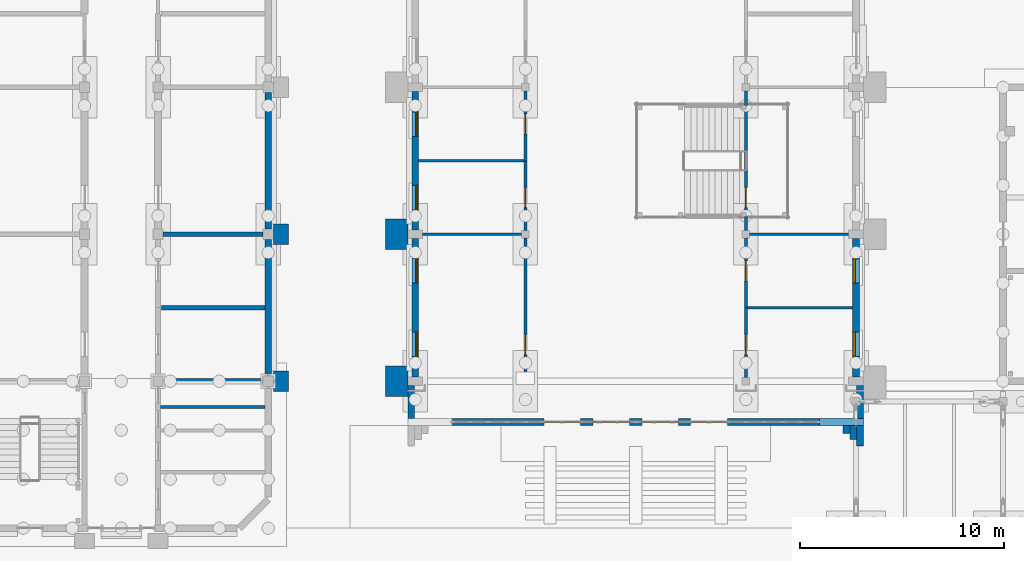
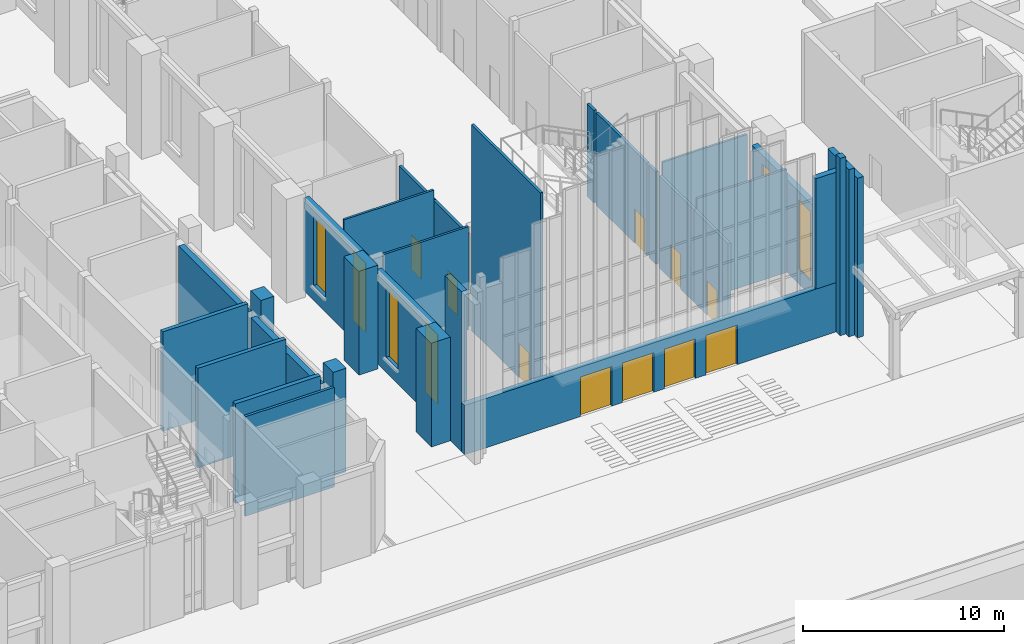
# One storey, part 34 of 84: 32 walls, 10 doors, 6 windows, 16 openings.
"""IFC4 building model written with IfcOpenShell, lengths in metres."""

import ifcopenshell
import ifcopenshell.guid

model = None  # the IFC model being written
_history = None  # IfcOwnerHistory: only IFC2X3 demands one
_inside = {}  # id of a spatial element -> (the spatial element, [elements in it])
_under = {}  # id of a project, library or spatial element -> (it, [spatial elements below it])
_declared = {}  # id of a project -> (the project, [libraries it declares])
_typed = {}  # id of a type object -> (the type object, [elements of that type])
_made_of = {}  # id of a material, layer set ... -> (it, [elements and type objects made of it])


def new_model(schema):
    """Start an empty IFC model of exactly this schema.

    Asked for "IFC4X3", IfcOpenShell would pick the latest addendum, in which some entities
    have other attributes; the version numbers below select the first issue.
    IFC2X3 requires an IfcOwnerHistory on every rooted entity: one is made here for all.
    """
    global model, _history
    if schema == "IFC4X3":
        model = ifcopenshell.file(schema_version=(4, 3, 0, 0))
    else:
        model = ifcopenshell.file(schema=schema)
    _inside.clear()
    _under.clear()
    _declared.clear()
    _typed.clear()
    _made_of.clear()
    _history = None
    if model.schema == "IFC2X3":
        org = make("IfcOrganization", Name="unknown")
        user = make(
            "IfcPersonAndOrganization",
            ThePerson=make("IfcPerson", FamilyName="unknown"),
            TheOrganization=org,
        )
        app = make(
            "IfcApplication",
            ApplicationDeveloper=org,
            Version="unknown",
            ApplicationFullName="unknown",
            ApplicationIdentifier="unknown",
        )
        _history = make(
            "IfcOwnerHistory",
            OwningUser=user,
            OwningApplication=app,
            ChangeAction="ADDED",
            CreationDate=0,
        )
    return model


def make(cls, **values):
    """One entity of the class cls with the attributes given. An attribute that is None is left unset."""
    return model.create_entity(
        cls, **{name: value for name, value in values.items() if value is not None}
    )


def rooted(cls, **values):
    """An entity with a GlobalId (a new one), such as an element, a storey or a relation."""
    return make(cls, GlobalId=ifcopenshell.guid.new(), OwnerHistory=_history, **values)


def si_unit(unit_type, name, prefix=None):
    """IfcSIUnit, for example si_unit("LENGTHUNIT", "METRE", prefix="MILLI")."""
    return make("IfcSIUnit", UnitType=unit_type, Prefix=prefix, Name=name)


def assignment(units):
    """IfcUnitAssignment: the units of a project."""
    return None if units is None else make("IfcUnitAssignment", Units=units)


def point(xyz):
    """IfcCartesianPoint."""
    return None if xyz is None else make("IfcCartesianPoint", Coordinates=xyz)


def direction(xyz):
    """IfcDirection."""
    return None if xyz is None else make("IfcDirection", DirectionRatios=xyz)


def frame(location, z_axis=None, x_axis=None):
    """IfcAxis2Placement3D, a coordinate frame: its origin and axes. An axis left out is left unset."""
    return make(
        "IfcAxis2Placement3D",
        Location=point(location),
        Axis=direction(z_axis),
        RefDirection=direction(x_axis),
    )


def frame_2d(location, x_axis=None):
    """IfcAxis2Placement2D, a coordinate frame in the plane: its origin and x axis."""
    return make(
        "IfcAxis2Placement2D", Location=point(location), RefDirection=direction(x_axis)
    )


def origin():
    """The frame at (0, 0, 0) with its axes left unset."""
    return frame((0.0, 0.0, 0.0))


def place(relative_to, where):
    """IfcLocalPlacement: puts the frame where relative to a parent placement (None: the world)."""
    return make(
        "IfcLocalPlacement", PlacementRelTo=relative_to, RelativePlacement=where
    )


def context(
    kind, dimensions, precision=None, world=None, true_north=None, identifier=None
):
    """IfcGeometricRepresentationContext, for example the 3D "Model" context."""
    return make(
        "IfcGeometricRepresentationContext",
        ContextIdentifier=identifier,
        ContextType=kind,
        CoordinateSpaceDimension=dimensions,
        Precision=precision,
        WorldCoordinateSystem=world,
        TrueNorth=true_north,
    )


def subcontext(parent, identifier, kind, view, scale=None):
    """IfcGeometricRepresentationSubContext, for example "Body" below "Model"."""
    return make(
        "IfcGeometricRepresentationSubContext",
        ContextIdentifier=identifier,
        ContextType=kind,
        ParentContext=parent,
        TargetScale=scale,
        TargetView=view,
    )


def project(units=None, contexts=None):
    """IfcProject with its units and contexts."""
    return rooted(
        "IfcProject",
        Name="project",
        RepresentationContexts=contexts,
        UnitsInContext=assignment(units),
    )


def spatial(cls, under=None, at=None, **own):
    """A site, building, storey or space (cls), placed at a placement, below another one or the project."""
    s = rooted(cls, ObjectPlacement=at, **own)
    if under is not None:
        _under.setdefault(under.id(), (under, []))[1].append(s)
    return s


def profile(cls, at=None, kind="AREA", **sizes):
    """A parametric profile (cls). Its sizes go by their IFC names, for example OverallWidth=200.0."""
    return make(cls, ProfileType=kind, Position=at, **sizes)


def rectangle(**sizes):
    """IfcRectangleProfileDef."""
    return profile("IfcRectangleProfileDef", **sizes)


def extrude(swept, where, along, depth):
    """IfcExtrudedAreaSolid: the profile swept, set in the frame where, extruded along a direction by depth."""
    return make(
        "IfcExtrudedAreaSolid",
        SweptArea=swept,
        Position=where,
        ExtrudedDirection=direction(along),
        Depth=depth,
    )


def shape(context_of_items, identifier, shape_type, items):
    """IfcShapeRepresentation: the items that make up one representation, for example the "Body"."""
    return make(
        "IfcShapeRepresentation",
        ContextOfItems=context_of_items,
        RepresentationIdentifier=identifier,
        RepresentationType=shape_type,
        Items=items,
    )


def material(Name=None, Category=None):
    """IfcMaterial."""
    return make("IfcMaterial", Name=Name, Category=Category)


def layer(
    of_material, thickness, ventilated=None, Name=None, Category=None, Priority=None
):
    """IfcMaterialLayer: one layer of a wall or slab, of a material (None: an air gap)."""
    return make(
        "IfcMaterialLayer",
        Material=of_material,
        LayerThickness=thickness,
        IsVentilated=ventilated,
        Name=Name,
        Category=Category,
        Priority=Priority,
    )


def layer_set(layers, Name=None):
    """IfcMaterialLayerSet."""
    return make("IfcMaterialLayerSet", MaterialLayers=layers, LayerSetName=Name)


def made_of(thing, what):
    """Note that an element or type object is made of a material, layer set ...; save() writes the relation."""
    if what is not None:
        _made_of.setdefault(what.id(), (what, []))[1].append(thing)
    return thing


def type_object(cls, material=None, **own):
    """A type object (cls), such as IfcWallType, which elements share."""
    return made_of(rooted(cls, **own), material)


def element(
    cls,
    number,
    at=None,
    inside=None,
    cuts=None,
    type_object=None,
    material=None,
    context=None,
    identifier="Body",
    shape_type=None,
    held_by="IfcProductDefinitionShape",
    body=None,
    shapes=None,
    **own,
):
    """One element of the class cls, such as IfcWall. Its Tag is "e" and its number.

    at: its placement. inside: the storey or other place that contains it. cuts: it is an
    opening in that element (IfcRelVoidsElement). A single representation is given by context,
    identifier, shape_type and body (its items); several are given by shapes. held_by: the class
    of the entity that holds the representations. save() writes the other relations.
    """
    e = rooted(cls, Tag="e%d" % number, ObjectPlacement=at, **own)
    if body is not None:
        shapes = [shape(context, identifier, shape_type, body)]
    if shapes is not None:
        e.Representation = make(held_by, Representations=shapes)
    if inside is not None:
        _inside.setdefault(inside.id(), (inside, []))[1].append(e)
    if cuts is not None:
        rooted(
            "IfcRelVoidsElement", RelatingBuildingElement=cuts, RelatedOpeningElement=e
        )
    if type_object is not None:
        _typed.setdefault(type_object.id(), (type_object, []))[1].append(e)
    return made_of(e, material)


def fill(opening, filler):
    """IfcRelFillsElement: the door or window that sits in an opening."""
    return rooted(
        "IfcRelFillsElement",
        RelatingOpeningElement=opening,
        RelatedBuildingElement=filler,
    )


def aggregate(whole, parts):
    """IfcRelAggregates: a whole, such as a stair, and the parts it consists of."""
    return rooted("IfcRelAggregates", RelatingObject=whole, RelatedObjects=parts)


def save(model, path):
    """Write the relations noted so far, then the file.

    IfcRelAggregates (storeys below a building ...), IfcRelContainedInSpatialStructure (elements
    in a storey), IfcRelDefinesByType, IfcRelAssociatesMaterial and IfcRelDeclares: one each for
    every whole, place, type object, material and project.
    """
    for whole, parts in _under.values():
        aggregate(whole, parts)
    for where, things in _inside.values():
        rooted(
            "IfcRelContainedInSpatialStructure",
            RelatedElements=things,
            RelatingStructure=where,
        )
    for kind, things in _typed.values():
        rooted("IfcRelDefinesByType", RelatedObjects=things, RelatingType=kind)
    for what, things in _made_of.values():
        rooted("IfcRelAssociatesMaterial", RelatedObjects=things, RelatingMaterial=what)
    for by, libraries in _declared.values():
        rooted("IfcRelDeclares", RelatingContext=by, RelatedDefinitions=libraries)
    model.write(path)


model = new_model("IFC4")

# Units and contexts
model_context = context("Model", 3, precision=1e-05, world=origin(), true_north=direction((0.0, 1.0)))
body_context = subcontext(model_context, "Body", "Model", "MODEL_VIEW")
ifc_project = project(units=[si_unit("LENGTHUNIT", "METRE"), si_unit("AREAUNIT", "SQUARE_METRE"), si_unit("VOLUMEUNIT", "CUBIC_METRE"), si_unit("PLANEANGLEUNIT", "RADIAN"), si_unit("MASSUNIT", "GRAM", prefix="KILO")], contexts=[model_context])

# Site, building, storey
site_placement = place(None, origin())
site = spatial("IfcSite", under=ifc_project, at=site_placement, CompositionType="ELEMENT")
building_placement = place(site_placement, origin())
building = spatial("IfcBuilding", under=site, at=building_placement, Name="Mazhai Court Health Centre", CompositionType="ELEMENT")
storey_placement = place(building_placement, origin())
storey = spatial("IfcBuildingStorey", under=building, at=storey_placement, Name="L00", CompositionType="ELEMENT", Elevation=0.0)

# Walls
ifc_material_1 = material(Name="Clay brick masonry", Category="masonry")
ifc_layer_1 = layer(ifc_material_1, 1.10009765625)
ifc_layer_set_1 = layer_set([ifc_layer_1], Name="BRICK BUTTRESS PIER 1100")
wall_type_1 = type_object("IfcWallType", Name="BRICK BUTTRESS PIER 1100", PredefinedType="SOLIDWALL", material=ifc_layer_set_1)
for number, where, z_axis, x_axis, name in (
    (1, (41.2900390625, 12.64990234375, 0.0), (0.0, 0.0, 1.0), (0.0, 1.0, 0.0), "EP-V1-L00-W0"),
    (2, (41.2900390625, 19.85009765625, 0.0), (0.0, 0.0, 1.0), (0.0, 1.0, 0.0), "EP-V1-L00-W1"),
):
    element("IfcWall", number, at=place(storey_placement, frame(where, z_axis=z_axis, x_axis=x_axis)), inside=storey, type_object=wall_type_1, Name=name, PredefinedType="SOLIDWALL", context=body_context, shape_type="SweptSolid", body=[
        extrude(rectangle(XDim=1.5, YDim=1.10009765625, at=frame_2d((0.75, 0.0))), origin(), (0.0, 0.0, 1.0), 6.300048828125),
    ])
ifc_material_2 = material(Name="Clay brick masonry", Category="masonry")
ifc_layer_2 = layer(ifc_material_2, 0.75)
ifc_layer_set_2 = layer_set([ifc_layer_2], Name="BRICK PIER 750")
wall_type_2 = type_object("IfcWallType", Name="BRICK PIER 750", PredefinedType="SOLIDWALL", material=ifc_layer_set_2)
for number, where, z_axis, x_axis, name in (
    (3, (35.625, 13.89990234375, 0.0), (0.0, 0.0, 1.0), (0.0, -1.0, 0.0), "EP-V5-L00-B1"),
    (4, (35.625, 21.10009765625, 0.0), (0.0, 0.0, 1.0), (0.0, -1.0, 0.0), "EP-V5-L00-B2"),
):
    element("IfcWall", number, at=place(storey_placement, frame(where, z_axis=z_axis, x_axis=x_axis)), inside=storey, type_object=wall_type_2, Name=name, PredefinedType="SOLIDWALL", context=body_context, shape_type="SweptSolid", body=[
        extrude(rectangle(XDim=1.0, YDim=0.75, at=frame_2d((0.5, 0.0))), origin(), (0.0, 0.0, 1.0), 6.300048828125),
    ])
ifc_material_3 = material(Name="Clay brick masonry", Category="masonry")
ifc_layer_3 = layer(ifc_material_3, 0.22998046875)
ifc_layer_set_3 = layer_set([ifc_layer_3], Name="BRICK WALL 230 SHIELDING EI120")
wall_type_3 = type_object("IfcWallType", Name="BRICK WALL 230 SHIELDING EI120", PredefinedType="SOLIDWALL", material=ifc_layer_set_3)
wall_1_placement = place(storey_placement, frame((34.8349609375, 17.0, 0.0), z_axis=(0.0, 0.0, 1.0), x_axis=(-1.0, 0.0, 0.0)))
element("IfcWall", 5, at=wall_1_placement, inside=storey, type_object=wall_type_3, Name="wall-V5-L00-B0-cross-1a", PredefinedType="SOLIDWALL", context=body_context, shape_type="SweptSolid", body=[
    extrude(rectangle(XDim=5.06005859375, YDim=0.22998046875, at=frame_2d((2.530029296875, 0.0))), origin(), (0.0, 0.0, 1.0), 6.050048828125),
])
wall_2_placement = place(storey_placement, frame((34.75, 20.60009765625, 0.0), z_axis=(0.0, 0.0, 1.0), x_axis=(-1.0, 0.0, 0.0)))
element("IfcWall", 6, at=wall_2_placement, inside=storey, type_object=wall_type_3, Name="wall-V5-L00-B0-cross-2a", PredefinedType="SOLIDWALL", context=body_context, shape_type="SweptSolid", body=[
    extrude(rectangle(XDim=4.89990234375, YDim=0.22998046875, at=frame_2d((2.449951171875, 0.0))), origin(), (0.0, 0.0, 1.0), 6.050048828125),
])
ifc_material_4 = material(Name="Clay brick masonry", Category="masonry")
ifc_layer_4 = layer(ifc_material_4, 0.330078125)
ifc_layer_set_4 = layer_set([ifc_layer_4], Name="BRICK WALL 330 EXTERNAL")
wall_type_4 = type_object("IfcWallType", Name="BRICK WALL 330 EXTERNAL", PredefinedType="SOLIDWALL", material=ifc_layer_set_4)
wall_3_placement = place(storey_placement, frame((35.0, 20.35009765625, 0.0), z_axis=(0.0, 0.0, 1.0), x_axis=(0.0, -1.0, 0.0)))
element("IfcWall", 7, at=wall_3_placement, inside=storey, type_object=wall_type_4, Name="EW-V5-L00-B1p0", PredefinedType="SOLIDWALL", context=body_context, shape_type="SweptSolid", body=[
    extrude(rectangle(XDim=6.7001953125, YDim=0.330078125, at=frame_2d((3.35009765625, 0.0))), origin(), (0.0, 0.0, 1.0), 5.25),
])
wall_4_placement = place(storey_placement, frame((35.0, 27.550048828125, 0.0), z_axis=(0.0, 0.0, 1.0), x_axis=(0.0, -1.0, 0.0)))
element("IfcWall", 8, at=wall_4_placement, inside=storey, type_object=wall_type_4, Name="EW-V5-L00-B2p0", PredefinedType="SOLIDWALL", context=body_context, shape_type="SweptSolid", body=[
    extrude(rectangle(XDim=6.699951171875, YDim=0.330078125, at=frame_2d((3.35009765625, 0.0))), origin(), (0.0, 0.0, 1.0), 5.25),
])

# Wall, openings, windows
wall_5_placement = place(storey_placement, frame((42.199951171875, 13.60009765625, 0.0), z_axis=(0.0, 0.0, 1.0), x_axis=(0.0, 1.0, 0.0)))
wall_5 = element("IfcWall", 9, at=wall_5_placement, inside=storey, type_object=wall_type_4, Name="EW-V1-L00-W0", PredefinedType="SOLIDWALL", context=body_context, shape_type="SweptSolid", body=[
    extrude(rectangle(XDim=6.7998046875, YDim=0.330078125, at=frame_2d((3.39990234375, 0.0))), origin(), (0.0, 0.0, 1.0), 5.6201171875),
])
opening_1_placement = place(wall_5_placement, frame((1.0, 0.0, 0.89990234375)))
opening_1 = element("IfcOpeningElement", 10, at=opening_1_placement, cuts=wall_5, Name="Opening W3", PredefinedType="OPENING", context=body_context, shape_type="SweptSolid", body=[
    extrude(rectangle(XDim=1.199951171875, YDim=4.199951171875, at=frame_2d((0.60009765625, 2.10009765625))), frame((0.0, 0.175048828125, 0.0), z_axis=(0.0, -1.0, 0.0), x_axis=(1.0, 0.0, 0.0)), (0.0, 0.0, 1.0), 0.35009765625),
])
opening_2_placement = place(wall_5_placement, frame((4.60009765625, 0.0, 0.89990234375)))
opening_2 = element("IfcOpeningElement", 11, at=opening_2_placement, cuts=wall_5, Name="Opening W3", PredefinedType="OPENING", context=body_context, shape_type="SweptSolid", body=[
    extrude(rectangle(XDim=1.199951171875, YDim=4.199951171875, at=frame_2d((0.60009765625, 2.10009765625))), frame((0.0, 0.175048828125, 0.0), z_axis=(0.0, -1.0, 0.0), x_axis=(1.0, 0.0, 0.0)), (0.0, 0.0, 1.0), 0.35009765625),
])
ifc_material_5 = material(Name="Teak timber frame, glazed", Category="wood")
window_type = type_object("IfcWindowType", Name="WINDOW HALL 1200x4200", PartitioningType="SINGLE_PANEL", PredefinedType="WINDOW", material=ifc_material_5)
window_1_placement = place(opening_1_placement, origin())
window_1 = element("IfcWindow", 12, at=window_1_placement, inside=storey, type_object=window_type, Name="W3 WN-V1-L00-W0a", OverallHeight=4.199951171875, OverallWidth=1.199951171875, PartitioningType="SINGLE_PANEL", PredefinedType="WINDOW", context=body_context, shape_type="SweptSolid", body=[
    extrude(rectangle(XDim=1.199951171875, YDim=4.199951171875, at=frame_2d((0.60009765625, 2.10009765625))), frame((0.0, -0.030029296875, 0.0), z_axis=(0.0, -1.0, 0.0), x_axis=(1.0, 0.0, 0.0)), (0.0, 0.0, 1.0), 0.06005859375),
])
fill(opening_1, window_1)
window_2_placement = place(opening_2_placement, origin())
window_2 = element("IfcWindow", 13, at=window_2_placement, inside=storey, type_object=window_type, Name="W3 WN-V1-L00-W0b", OverallHeight=4.199951171875, OverallWidth=1.199951171875, PartitioningType="SINGLE_PANEL", PredefinedType="WINDOW", context=body_context, shape_type="SweptSolid", body=[
    extrude(rectangle(XDim=1.199951171875, YDim=4.199951171875, at=frame_2d((0.60009765625, 2.10009765625))), frame((0.0, -0.030029296875, 0.0), z_axis=(0.0, -1.0, 0.0), x_axis=(1.0, 0.0, 0.0)), (0.0, 0.0, 1.0), 0.06005859375),
])
fill(opening_2, window_2)

wall_6_placement = place(storey_placement, frame((42.199951171875, 20.800048828125, 0.0), z_axis=(0.0, 0.0, 1.0), x_axis=(0.0, 1.0, 0.0)))
wall_6 = element("IfcWall", 14, at=wall_6_placement, inside=storey, type_object=wall_type_4, Name="EW-V1-L00-W1", PredefinedType="SOLIDWALL", context=body_context, shape_type="SweptSolid", body=[
    extrude(rectangle(XDim=6.800048828125, YDim=0.330078125, at=frame_2d((3.39990234375, 0.0))), origin(), (0.0, 0.0, 1.0), 5.6201171875),
])
opening_3_placement = place(wall_6_placement, frame((1.0, 0.0, 0.89990234375)))
opening_3 = element("IfcOpeningElement", 15, at=opening_3_placement, cuts=wall_6, Name="Opening W3", PredefinedType="OPENING", context=body_context, shape_type="SweptSolid", body=[
    extrude(rectangle(XDim=1.199951171875, YDim=4.199951171875, at=frame_2d((0.60009765625, 2.10009765625))), frame((0.0, 0.175048828125, 0.0), z_axis=(0.0, -1.0, 0.0), x_axis=(1.0, 0.0, 0.0)), (0.0, 0.0, 1.0), 0.35009765625),
])
opening_4_placement = place(wall_6_placement, frame((4.60009765625, 0.0, 0.89990234375)))
opening_4 = element("IfcOpeningElement", 16, at=opening_4_placement, cuts=wall_6, Name="Opening W3", PredefinedType="OPENING", context=body_context, shape_type="SweptSolid", body=[
    extrude(rectangle(XDim=1.199951171875, YDim=4.199951171875, at=frame_2d((0.60009765625, 2.10009765625))), frame((0.0, 0.175048828125, 0.0), z_axis=(0.0, -1.0, 0.0), x_axis=(1.0, 0.0, 0.0)), (0.0, 0.0, 1.0), 0.35009765625),
])
window_3_placement = place(opening_3_placement, origin())
window_3 = element("IfcWindow", 17, at=window_3_placement, inside=storey, type_object=window_type, Name="W3 WN-V1-L00-W1a", OverallHeight=4.199951171875, OverallWidth=1.199951171875, PartitioningType="SINGLE_PANEL", PredefinedType="WINDOW", context=body_context, shape_type="SweptSolid", body=[
    extrude(rectangle(XDim=1.199951171875, YDim=4.199951171875, at=frame_2d((0.60009765625, 2.10009765625))), frame((0.0, -0.030029296875, 0.0), z_axis=(0.0, -1.0, 0.0), x_axis=(1.0, 0.0, 0.0)), (0.0, 0.0, 1.0), 0.06005859375),
])
fill(opening_3, window_3)
window_4_placement = place(opening_4_placement, origin())
window_4 = element("IfcWindow", 18, at=window_4_placement, inside=storey, type_object=window_type, Name="W3 WN-V1-L00-W1b", OverallHeight=4.199951171875, OverallWidth=1.199951171875, PartitioningType="SINGLE_PANEL", PredefinedType="WINDOW", context=body_context, shape_type="SweptSolid", body=[
    extrude(rectangle(XDim=1.199951171875, YDim=4.199951171875, at=frame_2d((0.60009765625, 2.10009765625))), frame((0.0, -0.030029296875, 0.0), z_axis=(0.0, -1.0, 0.0), x_axis=(1.0, 0.0, 0.0)), (0.0, 0.0, 1.0), 0.06005859375),
])
fill(opening_4, window_4)

wall_7_placement = place(storey_placement, frame((63.800048828125, 20.39990234375, 0.0), z_axis=(0.0, 0.0, 1.0), x_axis=(0.0, -1.0, 0.0)))
wall_7 = element("IfcWall", 19, at=wall_7_placement, inside=storey, type_object=wall_type_4, Name="EW-V1-L00-E0", PredefinedType="SOLIDWALL", context=body_context, shape_type="SweptSolid", body=[
    extrude(rectangle(XDim=6.7998046875, YDim=0.330078125, at=frame_2d((3.39990234375, 0.0))), origin(), (0.0, 0.0, 1.0), 5.6201171875),
])
opening_5_placement = place(wall_7_placement, frame((4.60009765625, 0.0, 0.89990234375)))
opening_5 = element("IfcOpeningElement", 20, at=opening_5_placement, cuts=wall_7, Name="Opening W3", PredefinedType="OPENING", context=body_context, shape_type="SweptSolid", body=[
    extrude(rectangle(XDim=1.199951171875, YDim=4.199951171875, at=frame_2d((0.60009765625, 2.10009765625))), frame((0.0, 0.175048828125, 0.0), z_axis=(0.0, -1.0, 0.0), x_axis=(1.0, 0.0, 0.0)), (0.0, 0.0, 1.0), 0.35009765625),
])
opening_6_placement = place(wall_7_placement, frame((1.0, 0.0, 0.89990234375)))
opening_6 = element("IfcOpeningElement", 21, at=opening_6_placement, cuts=wall_7, Name="Opening W3", PredefinedType="OPENING", context=body_context, shape_type="SweptSolid", body=[
    extrude(rectangle(XDim=1.199951171875, YDim=4.199951171875, at=frame_2d((0.60009765625, 2.10009765625))), frame((0.0, 0.175048828125, 0.0), z_axis=(0.0, -1.0, 0.0), x_axis=(1.0, 0.0, 0.0)), (0.0, 0.0, 1.0), 0.35009765625),
])
window_5_placement = place(opening_5_placement, origin())
window_5 = element("IfcWindow", 22, at=window_5_placement, inside=storey, type_object=window_type, Name="W3 WN-V1-L00-E0a", OverallHeight=4.199951171875, OverallWidth=1.199951171875, PartitioningType="SINGLE_PANEL", PredefinedType="WINDOW", context=body_context, shape_type="SweptSolid", body=[
    extrude(rectangle(XDim=1.199951171875, YDim=4.199951171875, at=frame_2d((0.60009765625, 2.10009765625))), frame((0.0, -0.030029296875, 0.0), z_axis=(0.0, -1.0, 0.0), x_axis=(1.0, 0.0, 0.0)), (0.0, 0.0, 1.0), 0.06005859375),
])
fill(opening_5, window_5)
window_6_placement = place(opening_6_placement, origin())
window_6 = element("IfcWindow", 23, at=window_6_placement, inside=storey, type_object=window_type, Name="W3 WN-V1-L00-E0b", OverallHeight=4.199951171875, OverallWidth=1.199951171875, PartitioningType="SINGLE_PANEL", PredefinedType="WINDOW", context=body_context, shape_type="SweptSolid", body=[
    extrude(rectangle(XDim=1.199951171875, YDim=4.199951171875, at=frame_2d((0.60009765625, 2.10009765625))), frame((0.0, -0.030029296875, 0.0), z_axis=(0.0, -1.0, 0.0), x_axis=(1.0, 0.0, 0.0)), (0.0, 0.0, 1.0), 0.06005859375),
])
fill(opening_6, window_6)

# Wall, openings, doors
wall_8_placement = place(storey_placement, frame((64.159912109375, 11.39990234375, 0.0), z_axis=(0.0, 0.0, 1.0), x_axis=(-1.0, 0.0, 0.0)))
wall_8 = element("IfcWall", 24, at=wall_8_placement, inside=storey, type_object=wall_type_4, Name="EW-V1-L00-S", PredefinedType="SOLIDWALL", context=body_context, shape_type="SweptSolid", body=[
    extrude(rectangle(XDim=22.31982421875, YDim=0.330078125, at=frame_2d((11.159912109375, 0.0))), origin(), (0.0, 0.0, 1.0), 3.0),
])
opening_7_placement = place(wall_8_placement, frame((13.860107421875, 0.0, 0.0)))
opening_7 = element("IfcOpeningElement", 25, at=opening_7_placement, cuts=wall_8, Name="Opening D-L00-049", PredefinedType="OPENING", context=body_context, shape_type="SweptSolid", body=[
    extrude(rectangle(XDim=1.800048828125, YDim=2.39990234375, at=frame_2d((0.89990234375, 1.199951171875))), frame((0.0, 0.175048828125, 0.0), z_axis=(0.0, -1.0, 0.0), x_axis=(1.0, 0.0, 0.0)), (0.0, 0.0, 1.0), 0.35009765625),
])
opening_8_placement = place(wall_8_placement, frame((11.4599609375, 0.0, 0.0)))
opening_8 = element("IfcOpeningElement", 26, at=opening_8_placement, cuts=wall_8, Name="Opening D-L00-050", PredefinedType="OPENING", context=body_context, shape_type="SweptSolid", body=[
    extrude(rectangle(XDim=1.800048828125, YDim=2.39990234375, at=frame_2d((0.89990234375, 1.199951171875))), frame((0.0, 0.175048828125, 0.0), z_axis=(0.0, -1.0, 0.0), x_axis=(1.0, 0.0, 0.0)), (0.0, 0.0, 1.0), 0.35009765625),
])
opening_9_placement = place(wall_8_placement, frame((9.06005859375, 0.0, 0.0)))
opening_9 = element("IfcOpeningElement", 27, at=opening_9_placement, cuts=wall_8, Name="Opening D-L00-051", PredefinedType="OPENING", context=body_context, shape_type="SweptSolid", body=[
    extrude(rectangle(XDim=1.800048828125, YDim=2.39990234375, at=frame_2d((0.89990234375, 1.199951171875))), frame((0.0, 0.175048828125, 0.0), z_axis=(0.0, -1.0, 0.0), x_axis=(1.0, 0.0, 0.0)), (0.0, 0.0, 1.0), 0.35009765625),
])
opening_10_placement = place(wall_8_placement, frame((6.659912109375, 0.0, 0.0)))
opening_10 = element("IfcOpeningElement", 28, at=opening_10_placement, cuts=wall_8, Name="Opening D-L00-052", PredefinedType="OPENING", context=body_context, shape_type="SweptSolid", body=[
    extrude(rectangle(XDim=1.800048828125, YDim=2.39990234375, at=frame_2d((0.89990234375, 1.199951171875))), frame((0.0, 0.175048828125, 0.0), z_axis=(0.0, -1.0, 0.0), x_axis=(1.0, 0.0, 0.0)), (0.0, 0.0, 1.0), 0.35009765625),
])
ifc_material_6 = material(Name="Teak timber door, glazed", Category="wood")
door_type_1 = type_object("IfcDoorType", Name="DOOR SLIDING ENTRANCE 1800x2400", OperationType="SLIDING_TO_LEFT", PredefinedType="DOOR", material=ifc_material_6)
door_1_placement = place(opening_7_placement, origin())
door_1 = element("IfcDoor", 29, at=door_1_placement, inside=storey, type_object=door_type_1, Name="L00-E13", OperationType="SLIDING_TO_LEFT", OverallHeight=2.39990234375, OverallWidth=1.800048828125, PredefinedType="DOOR", context=body_context, shape_type="SweptSolid", body=[
    extrude(rectangle(XDim=1.800048828125, YDim=2.39990234375, at=frame_2d((0.89990234375, 1.199951171875))), frame((0.0, 0.02490234375, 0.0), z_axis=(0.0, -1.0, 0.0), x_axis=(1.0, 0.0, 0.0)), (0.0, 0.0, 1.0), 0.050048828125),
])
fill(opening_7, door_1)
door_2_placement = place(opening_8_placement, origin())
door_2 = element("IfcDoor", 30, at=door_2_placement, inside=storey, type_object=door_type_1, Name="L00-E14", OperationType="SLIDING_TO_LEFT", OverallHeight=2.39990234375, OverallWidth=1.800048828125, PredefinedType="DOOR", context=body_context, shape_type="SweptSolid", body=[
    extrude(rectangle(XDim=1.800048828125, YDim=2.39990234375, at=frame_2d((0.89990234375, 1.199951171875))), frame((0.0, 0.02490234375, 0.0), z_axis=(0.0, -1.0, 0.0), x_axis=(1.0, 0.0, 0.0)), (0.0, 0.0, 1.0), 0.050048828125),
])
fill(opening_8, door_2)
door_3_placement = place(opening_9_placement, origin())
door_3 = element("IfcDoor", 31, at=door_3_placement, inside=storey, type_object=door_type_1, Name="L00-E15", OperationType="SLIDING_TO_LEFT", OverallHeight=2.39990234375, OverallWidth=1.800048828125, PredefinedType="DOOR", context=body_context, shape_type="SweptSolid", body=[
    extrude(rectangle(XDim=1.800048828125, YDim=2.39990234375, at=frame_2d((0.89990234375, 1.199951171875))), frame((0.0, 0.02490234375, 0.0), z_axis=(0.0, -1.0, 0.0), x_axis=(1.0, 0.0, 0.0)), (0.0, 0.0, 1.0), 0.050048828125),
])
fill(opening_9, door_3)
door_4_placement = place(opening_10_placement, origin())
door_4 = element("IfcDoor", 32, at=door_4_placement, inside=storey, type_object=door_type_1, Name="L00-E16", OperationType="SLIDING_TO_LEFT", OverallHeight=2.39990234375, OverallWidth=1.800048828125, PredefinedType="DOOR", context=body_context, shape_type="SweptSolid", body=[
    extrude(rectangle(XDim=1.800048828125, YDim=2.39990234375, at=frame_2d((0.89990234375, 1.199951171875))), frame((0.0, 0.02490234375, 0.0), z_axis=(0.0, -1.0, 0.0), x_axis=(1.0, 0.0, 0.0)), (0.0, 0.0, 1.0), 0.050048828125),
])
fill(opening_10, door_4)

# Walls
wall_9_placement = place(storey_placement, frame((64.159912109375, 11.39990234375, 3.0), z_axis=(0.0, 0.0, 1.0), x_axis=(-1.0, 0.0, 0.0)))
element("IfcWall", 33, at=wall_9_placement, inside=storey, type_object=wall_type_4, Name="EW-V1-L00-SJE", PredefinedType="SOLIDWALL", context=body_context, shape_type="SweptSolid", body=[
    extrude(rectangle(XDim=2.159912109375, YDim=0.330078125, at=frame_2d((1.080078125, 0.0))), origin(), (0.0, 0.0, 1.0), 6.699951171875),
])
for number, where, z_axis, x_axis, name in (
    (34, (42.0048828125, 11.56494140625, 0.0), (0.0, 0.0, 1.0), (0.0, 1.0, 0.0), "EW-V1-L00-PCW"),
    (35, (63.9951171875, 13.199951171875, 0.0), (0.0, 0.0, 1.0), (0.0, -1.0, 0.0), "EW-V1-L00-PCE"),
):
    element("IfcWall", number, at=place(storey_placement, frame(where, z_axis=z_axis, x_axis=x_axis)), inside=storey, type_object=wall_type_4, Name=name, PredefinedType="SOLIDWALL", context=body_context, shape_type="SweptSolid", body=[
        extrude(rectangle(XDim=1.635009765625, YDim=0.330078125, at=frame_2d((0.8173828125, 0.0))), origin(), (0.0, 0.0, 1.0), 9.699951171875),
    ])
wall_10_placement = place(storey_placement, frame((63.9951171875, 11.235107421875, 0.0), z_axis=(0.0, 0.0, 1.0), x_axis=(0.0, -1.0, 0.0)))
element("IfcWall", 36, at=wall_10_placement, inside=storey, type_object=wall_type_4, Name="EW-V1-L00-PRE0", PredefinedType="SOLIDWALL", context=body_context, shape_type="SweptSolid", body=[
    extrude(rectangle(XDim=1.0, YDim=0.330078125, at=frame_2d((0.5, 0.0))), origin(), (0.0, 0.0, 1.0), 9.699951171875),
])
wall_11_placement = place(storey_placement, frame((63.6650390625, 11.235107421875, 0.0), z_axis=(0.0, 0.0, 1.0), x_axis=(0.0, -1.0, 0.0)))
element("IfcWall", 37, at=wall_11_placement, inside=storey, type_object=wall_type_4, Name="EW-V1-L00-PRE1", PredefinedType="SOLIDWALL", context=body_context, shape_type="SweptSolid", body=[
    extrude(rectangle(XDim=0.7001953125, YDim=0.330078125, at=frame_2d((0.35009765625, 0.0))), origin(), (0.0, 0.0, 1.0), 10.156982421875),
])
wall_12_placement = place(storey_placement, frame((63.3349609375, 11.235107421875, 0.0), z_axis=(0.0, 0.0, 1.0), x_axis=(0.0, -1.0, 0.0)))
element("IfcWall", 38, at=wall_12_placement, inside=storey, type_object=wall_type_4, Name="EW-V1-L00-PRE2", PredefinedType="SOLIDWALL", context=body_context, shape_type="SweptSolid", body=[
    extrude(rectangle(XDim=0.400146484375, YDim=0.330078125, at=frame_2d((0.2001953125, 0.0))), origin(), (0.0, 0.0, 1.0), 10.77001953125),
])
ifc_material_7 = material(Name="Gypsum plasterboard partition")
ifc_layer_5 = layer(ifc_material_7, 0.125)
ifc_layer_set_5 = layer_set([ifc_layer_5], Name="PARTITION 125 STUD EI30")
wall_type_5 = type_object("IfcWallType", Name="PARTITION 125 STUD EI30", PredefinedType="PARTITIONING", material=ifc_layer_set_5)
wall_13_placement = place(storey_placement, frame((42.56005859375, 20.60009765625, 0.0), z_axis=(0.0, 0.0, 1.0), x_axis=(1.0, 0.0, 0.0)))
element("IfcWall", 39, at=wall_13_placement, inside=storey, type_object=wall_type_5, Name="wall-V1-L00-W-cross-1a", PredefinedType="PARTITIONING", context=body_context, shape_type="SweptSolid", body=[
    extrude(rectangle(XDim=4.85986328125, YDim=0.125, at=frame_2d((2.429931640625, 0.0))), origin(), (0.0, 0.0, 1.0), 6.260009765625),
])
for number, where, z_axis, x_axis, name in (
    (40, (42.364990234375, 24.199951171875, 0.0), (0.0, 0.0, 1.0), (1.0, 0.0, 0.0), "wall-V1-L00-W-cross-2a"),
    (41, (63.635009765625, 17.0, 0.0), (0.0, 0.0, 1.0), (-1.0, 0.0, 0.0), "wall-V1-L00-E-cross-1a"),
):
    element("IfcWall", number, at=place(storey_placement, frame(where, z_axis=z_axis, x_axis=x_axis)), inside=storey, type_object=wall_type_5, Name=name, PredefinedType="PARTITIONING", context=body_context, shape_type="SweptSolid", body=[
        extrude(rectangle(XDim=5.159912109375, YDim=0.125, at=frame_2d((2.580078125, 0.0))), origin(), (0.0, 0.0, 1.0), 6.260009765625),
    ])
wall_14_placement = place(storey_placement, frame((63.43994140625, 20.60009765625, 0.0), z_axis=(0.0, 0.0, 1.0), x_axis=(-1.0, 0.0, 0.0)))
element("IfcWall", 42, at=wall_14_placement, inside=storey, type_object=wall_type_5, Name="wall-V1-L00-E-cross-2a", PredefinedType="PARTITIONING", context=body_context, shape_type="SweptSolid", body=[
    extrude(rectangle(XDim=4.85986328125, YDim=0.125, at=frame_2d((2.429931640625, 0.0))), origin(), (0.0, 0.0, 1.0), 6.260009765625),
])

# Wall, opening, door
ifc_material_8 = material(Name="Gypsum plasterboard partition")
ifc_layer_6 = layer(ifc_material_8, 0.14990234375)
ifc_layer_set_6 = layer_set([ifc_layer_6], Name="PARTITION 150 CORRIDOR EI60")
wall_type_6 = type_object("IfcWallType", Name="PARTITION 150 CORRIDOR EI60", PredefinedType="PARTITIONING", material=ifc_layer_set_6)
wall_15_placement = place(storey_placement, frame((47.60009765625, 13.56494140625, 0.0), z_axis=(0.0, 0.0, 1.0), x_axis=(0.0, 1.0, 0.0)))
wall_15 = element("IfcWall", 43, at=wall_15_placement, inside=storey, type_object=wall_type_6, Name="wall-V1-L00-W-corr-0a", PredefinedType="PARTITIONING", context=body_context, shape_type="SweptSolid", body=[
    extrude(rectangle(XDim=6.85498046875, YDim=0.14990234375, at=frame_2d((3.427490234375, 0.0))), origin(), (0.0, 0.0, 1.0), 12.5009765625),
])
opening_11_placement = place(wall_15_placement, frame((1.135009765625, 0.0, 0.0)))
opening_11 = element("IfcOpeningElement", 44, at=opening_11_placement, cuts=wall_15, Name="Opening D-L00-041", PredefinedType="OPENING", context=body_context, shape_type="SweptSolid", body=[
    extrude(rectangle(XDim=1.0, YDim=2.10009765625, at=frame_2d((0.5, 1.050048828125))), frame((0.0, 0.0849609375, 0.0), z_axis=(0.0, -1.0, 0.0), x_axis=(1.0, 0.0, 0.0)), (0.0, 0.0, 1.0), 0.169921875),
])
ifc_material_9 = material(Name="Hardwood door leaf", Category="wood")
door_type_2 = type_object("IfcDoorType", Name="DOOR 1000x2100 FD30S SINGLE", OperationType="NOTDEFINED", PredefinedType="DOOR", material=ifc_material_9)
door_5_placement = place(opening_11_placement, origin())
door_5 = element("IfcDoor", 45, at=door_5_placement, inside=storey, type_object=door_type_2, Name="door-V1-L00-W-registration-and-reception", OperationType="SINGLE_SWING_LEFT", OverallHeight=2.10009765625, OverallWidth=1.0, PredefinedType="DOOR", context=body_context, shape_type="SweptSolid", body=[
    extrude(rectangle(XDim=1.0, YDim=2.10009765625, at=frame_2d((0.5, 1.050048828125))), frame((0.0, 0.02490234375, 0.0), z_axis=(0.0, -1.0, 0.0), x_axis=(1.0, 0.0, 0.0)), (0.0, 0.0, 1.0), 0.050048828125),
])
fill(opening_11, door_5)

wall_16_placement = place(storey_placement, frame((47.60009765625, 20.780029296875, 0.0), z_axis=(0.0, 0.0, 1.0), x_axis=(0.0, 1.0, 0.0)))
wall_16 = element("IfcWall", 46, at=wall_16_placement, inside=storey, type_object=wall_type_6, Name="wall-V1-L00-W-corr-1a", PredefinedType="PARTITIONING", context=body_context, shape_type="SweptSolid", body=[
    extrude(rectangle(XDim=3.419921875, YDim=0.14990234375, at=frame_2d((1.7099609375, 0.0))), origin(), (0.0, 0.0, 1.0), 5.6201171875),
])
opening_12_placement = place(wall_16_placement, frame((1.1201171875, 0.0, 0.0)))
opening_12 = element("IfcOpeningElement", 47, at=opening_12_placement, cuts=wall_16, Name="Opening D-L00-042", PredefinedType="OPENING", context=body_context, shape_type="SweptSolid", body=[
    extrude(rectangle(XDim=1.0, YDim=2.10009765625, at=frame_2d((0.5, 1.050048828125))), frame((0.0, 0.0849609375, 0.0), z_axis=(0.0, -1.0, 0.0), x_axis=(1.0, 0.0, 0.0)), (0.0, 0.0, 1.0), 0.169921875),
])
door_6_placement = place(opening_12_placement, origin())
door_6 = element("IfcDoor", 48, at=door_6_placement, inside=storey, type_object=door_type_2, Name="door-V1-L00-W-triage-room-1", OperationType="SINGLE_SWING_LEFT", OverallHeight=2.10009765625, OverallWidth=1.0, PredefinedType="DOOR", context=body_context, shape_type="SweptSolid", body=[
    extrude(rectangle(XDim=1.0, YDim=2.10009765625, at=frame_2d((0.5, 1.050048828125))), frame((0.0, 0.02490234375, 0.0), z_axis=(0.0, -1.0, 0.0), x_axis=(1.0, 0.0, 0.0)), (0.0, 0.0, 1.0), 0.050048828125),
])
fill(opening_12, door_6)

wall_17_placement = place(storey_placement, frame((47.60009765625, 24.199951171875, 0.0), z_axis=(0.0, 0.0, 1.0), x_axis=(0.0, 1.0, 0.0)))
wall_17 = element("IfcWall", 49, at=wall_17_placement, inside=storey, type_object=wall_type_6, Name="wall-V1-L00-W-corr-2a", PredefinedType="PARTITIONING", context=body_context, shape_type="SweptSolid", body=[
    extrude(rectangle(XDim=3.420166015625, YDim=0.14990234375, at=frame_2d((1.7099609375, 0.0))), origin(), (0.0, 0.0, 1.0), 5.6201171875),
])
opening_13_placement = place(wall_17_placement, frame((1.300048828125, 0.0, 0.0)))
opening_13 = element("IfcOpeningElement", 50, at=opening_13_placement, cuts=wall_17, Name="Opening D-L00-043", PredefinedType="OPENING", context=body_context, shape_type="SweptSolid", body=[
    extrude(rectangle(XDim=1.0, YDim=2.10009765625, at=frame_2d((0.5, 1.050048828125))), frame((0.0, 0.0849609375, 0.0), z_axis=(0.0, -1.0, 0.0), x_axis=(1.0, 0.0, 0.0)), (0.0, 0.0, 1.0), 0.169921875),
])
door_7_placement = place(opening_13_placement, origin())
door_7 = element("IfcDoor", 51, at=door_7_placement, inside=storey, type_object=door_type_2, Name="door-V1-L00-W-triage-room-2", OperationType="SINGLE_SWING_RIGHT", OverallHeight=2.10009765625, OverallWidth=1.0, PredefinedType="DOOR", context=body_context, shape_type="SweptSolid", body=[
    extrude(rectangle(XDim=1.0, YDim=2.10009765625, at=frame_2d((0.5, 1.050048828125))), frame((0.0, 0.02490234375, 0.0), z_axis=(0.0, -1.0, 0.0), x_axis=(1.0, 0.0, 0.0)), (0.0, 0.0, 1.0), 0.050048828125),
])
fill(opening_13, door_7)

wall_18_placement = place(storey_placement, frame((58.39990234375, 17.0, 0.0), z_axis=(0.0, 0.0, 1.0), x_axis=(0.0, -1.0, 0.0)))
wall_18 = element("IfcWall", 52, at=wall_18_placement, inside=storey, type_object=wall_type_6, Name="wall-V1-L00-E-corr-0a", PredefinedType="PARTITIONING", context=body_context, shape_type="SweptSolid", body=[
    extrude(rectangle(XDim=3.419921875, YDim=0.14990234375, at=frame_2d((1.7099609375, 0.0))), origin(), (0.0, 0.0, 1.0), 5.6201171875),
])
opening_14_placement = place(wall_18_placement, frame((1.300048828125, 0.0, 0.0)))
opening_14 = element("IfcOpeningElement", 53, at=opening_14_placement, cuts=wall_18, Name="Opening D-L00-053", PredefinedType="OPENING", context=body_context, shape_type="SweptSolid", body=[
    extrude(rectangle(XDim=1.0, YDim=2.10009765625, at=frame_2d((0.5, 1.050048828125))), frame((0.0, 0.0849609375, 0.0), z_axis=(0.0, -1.0, 0.0), x_axis=(1.0, 0.0, 0.0)), (0.0, 0.0, 1.0), 0.169921875),
])
door_8_placement = place(opening_14_placement, origin())
door_8 = element("IfcDoor", 54, at=door_8_placement, inside=storey, type_object=door_type_2, Name="door-V1-L00-E-security-room", OperationType="SINGLE_SWING_RIGHT", OverallHeight=2.10009765625, OverallWidth=1.0, PredefinedType="DOOR", context=body_context, shape_type="SweptSolid", body=[
    extrude(rectangle(XDim=1.0, YDim=2.10009765625, at=frame_2d((0.5, 1.050048828125))), frame((0.0, 0.02490234375, 0.0), z_axis=(0.0, -1.0, 0.0), x_axis=(1.0, 0.0, 0.0)), (0.0, 0.0, 1.0), 0.050048828125),
])
fill(opening_14, door_8)

wall_19_placement = place(storey_placement, frame((58.39990234375, 20.419921875, 0.0), z_axis=(0.0, 0.0, 1.0), x_axis=(0.0, -1.0, 0.0)))
wall_19 = element("IfcWall", 55, at=wall_19_placement, inside=storey, type_object=wall_type_6, Name="wall-V1-L00-E-corr-1a", PredefinedType="PARTITIONING", context=body_context, shape_type="SweptSolid", body=[
    extrude(rectangle(XDim=3.419921875, YDim=0.14990234375, at=frame_2d((1.7099609375, 0.0))), origin(), (0.0, 0.0, 1.0), 5.6201171875),
])
opening_15_placement = place(wall_19_placement, frame((1.1201171875, 0.0, 0.0)))
opening_15 = element("IfcOpeningElement", 56, at=opening_15_placement, cuts=wall_19, Name="Opening D-L00-054", PredefinedType="OPENING", context=body_context, shape_type="SweptSolid", body=[
    extrude(rectangle(XDim=1.0, YDim=2.10009765625, at=frame_2d((0.5, 1.050048828125))), frame((0.0, 0.0849609375, 0.0), z_axis=(0.0, -1.0, 0.0), x_axis=(1.0, 0.0, 0.0)), (0.0, 0.0, 1.0), 0.169921875),
])
door_9_placement = place(opening_15_placement, origin())
door_9 = element("IfcDoor", 57, at=door_9_placement, inside=storey, type_object=door_type_2, Name="door-V1-L00-E-fire-command-centre", OperationType="SINGLE_SWING_LEFT", OverallHeight=2.10009765625, OverallWidth=1.0, PredefinedType="DOOR", context=body_context, shape_type="SweptSolid", body=[
    extrude(rectangle(XDim=1.0, YDim=2.10009765625, at=frame_2d((0.5, 1.050048828125))), frame((0.0, 0.02490234375, 0.0), z_axis=(0.0, -1.0, 0.0), x_axis=(1.0, 0.0, 0.0)), (0.0, 0.0, 1.0), 0.050048828125),
])
fill(opening_15, door_9)

# Wall
wall_20_placement = place(storey_placement, frame((58.39990234375, 21.469970703125, 0.0), z_axis=(0.0, 0.0, 1.0), x_axis=(0.0, -1.0, 0.0)))
element("IfcWall", 58, at=wall_20_placement, inside=storey, type_object=wall_type_6, Name="wall-V1-L00-E-corr-2a", PredefinedType="PARTITIONING", context=body_context, shape_type="SweptSolid", body=[
    extrude(rectangle(XDim=0.68994140625, YDim=0.14990234375, at=frame_2d((0.344970703125, 0.0))), origin(), (0.0, 0.0, 1.0), 5.6201171875),
])

# Wall, opening, door
wall_21_placement = place(storey_placement, frame((58.39990234375, 26.719970703125, 0.0), z_axis=(0.0, 0.0, 1.0), x_axis=(0.0, -1.0, 0.0)))
wall_21 = element("IfcWall", 59, at=wall_21_placement, inside=storey, type_object=wall_type_6, Name="wall-V1-L00-E-corr-2b", PredefinedType="PARTITIONING", context=body_context, shape_type="SweptSolid", body=[
    extrude(rectangle(XDim=5.050048828125, YDim=0.14990234375, at=frame_2d((2.52490234375, 0.0))), origin(), (0.0, 0.0, 1.0), 5.6201171875),
])
opening_16_placement = place(wall_21_placement, frame((3.820068359375, 0.0, 0.0)))
opening_16 = element("IfcOpeningElement", 60, at=opening_16_placement, cuts=wall_21, Name="Opening D-L00-055", PredefinedType="OPENING", context=body_context, shape_type="SweptSolid", body=[
    extrude(rectangle(XDim=1.0, YDim=2.10009765625, at=frame_2d((0.5, 1.050048828125))), frame((0.0, 0.0849609375, 0.0), z_axis=(0.0, -1.0, 0.0), x_axis=(1.0, 0.0, 0.0)), (0.0, 0.0, 1.0), 0.169921875),
])
door_10_placement = place(opening_16_placement, origin())
door_10 = element("IfcDoor", 61, at=door_10_placement, inside=storey, type_object=door_type_2, Name="door-V1-L00-E-information-and-enquiry-room", OperationType="SINGLE_SWING_RIGHT", OverallHeight=2.10009765625, OverallWidth=1.0, PredefinedType="DOOR", context=body_context, shape_type="SweptSolid", body=[
    extrude(rectangle(XDim=1.0, YDim=2.10009765625, at=frame_2d((0.5, 1.050048828125))), frame((0.0, 0.02490234375, 0.0), z_axis=(0.0, -1.0, 0.0), x_axis=(1.0, 0.0, 0.0)), (0.0, 0.0, 1.0), 0.050048828125),
])
fill(opening_16, door_10)

# Walls
wall_22_placement = place(storey_placement, frame((58.39990234375, 27.6201171875, 0.0), z_axis=(0.0, 0.0, 1.0), x_axis=(0.0, -1.0, 0.0)))
element("IfcWall", 62, at=wall_22_placement, inside=storey, type_object=wall_type_6, Name="wall-V1-L00-E-corr-2c", PredefinedType="PARTITIONING", context=body_context, shape_type="SweptSolid", body=[
    extrude(rectangle(XDim=0.7001953125, YDim=0.14990234375, at=frame_2d((0.35009765625, 0.0))), origin(), (0.0, 0.0, 1.0), 5.6201171875),
])
ifc_material_10 = material(Name="Concrete M40", Category="concrete")
ifc_layer_7 = layer(ifc_material_10, 0.25)
ifc_layer_set_7 = layer_set([ifc_layer_7], Name="RC CORE WALL 250 M40")
wall_type_7 = type_object("IfcWallType", Name="RC CORE WALL 250 M40", PredefinedType="SHEAR", material=ifc_layer_set_7)
wall_23_placement = place(storey_placement, frame((29.85009765625, 13.39990234375, 0.0), z_axis=(0.0, 0.0, 1.0), x_axis=(1.0, 0.0, 0.0)))
element("IfcWall", 63, at=wall_23_placement, inside=storey, type_object=wall_type_7, Name="core-C4-w-other-line0-L00", PredefinedType="SHEAR", context=body_context, shape_type="SweptSolid", body=[
    extrude(rectangle(XDim=4.89990234375, YDim=0.25, at=frame_2d((2.449951171875, 0.0))), origin(), (0.0, 0.0, 1.0), 6.050048828125),
])
ifc_material_11 = material(Name="Concrete M25", Category="concrete")
ifc_layer_8 = layer(ifc_material_11, 0.14990234375)
ifc_layer_set_8 = layer_set([ifc_layer_8], Name="RC SERVICE ROOM WALL 150 M25")
wall_type_8 = type_object("IfcWallType", Name="RC SERVICE ROOM WALL 150 M25", PredefinedType="PARTITIONING", material=ifc_layer_set_8)
wall_24_placement = place(storey_placement, frame((29.72509765625, 12.139892578125, 0.0), z_axis=(0.0, 0.0, 1.0), x_axis=(1.0, 0.0, 0.0)))
element("IfcWall", 64, at=wall_24_placement, inside=storey, type_object=wall_type_8, Name="core-C4-w-room2-L00", PredefinedType="PARTITIONING", context=body_context, shape_type="SweptSolid", body=[
    extrude(rectangle(XDim=5.10986328125, YDim=0.14990234375, at=frame_2d((2.554931640625, 0.0))), origin(), (0.0, 0.0, 1.0), 6.050048828125),
])

save(model, "model.ifc")
